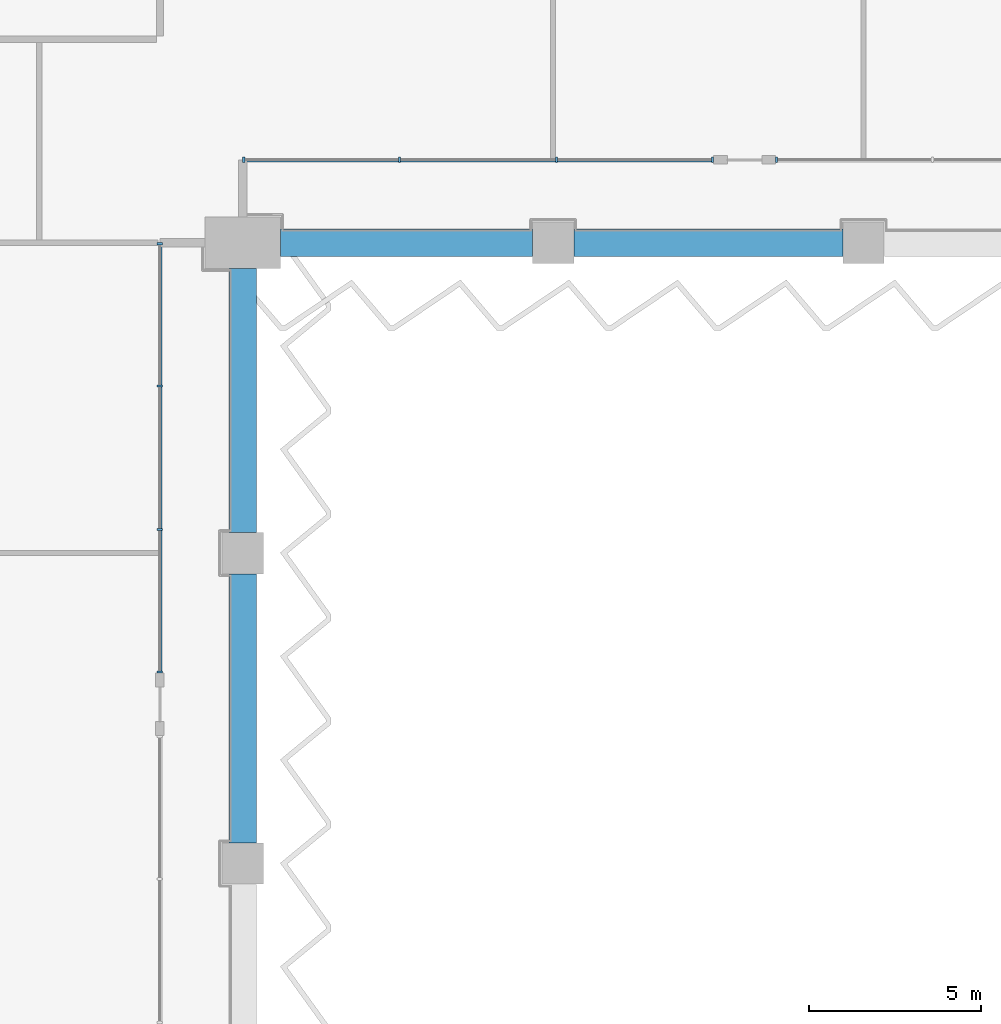
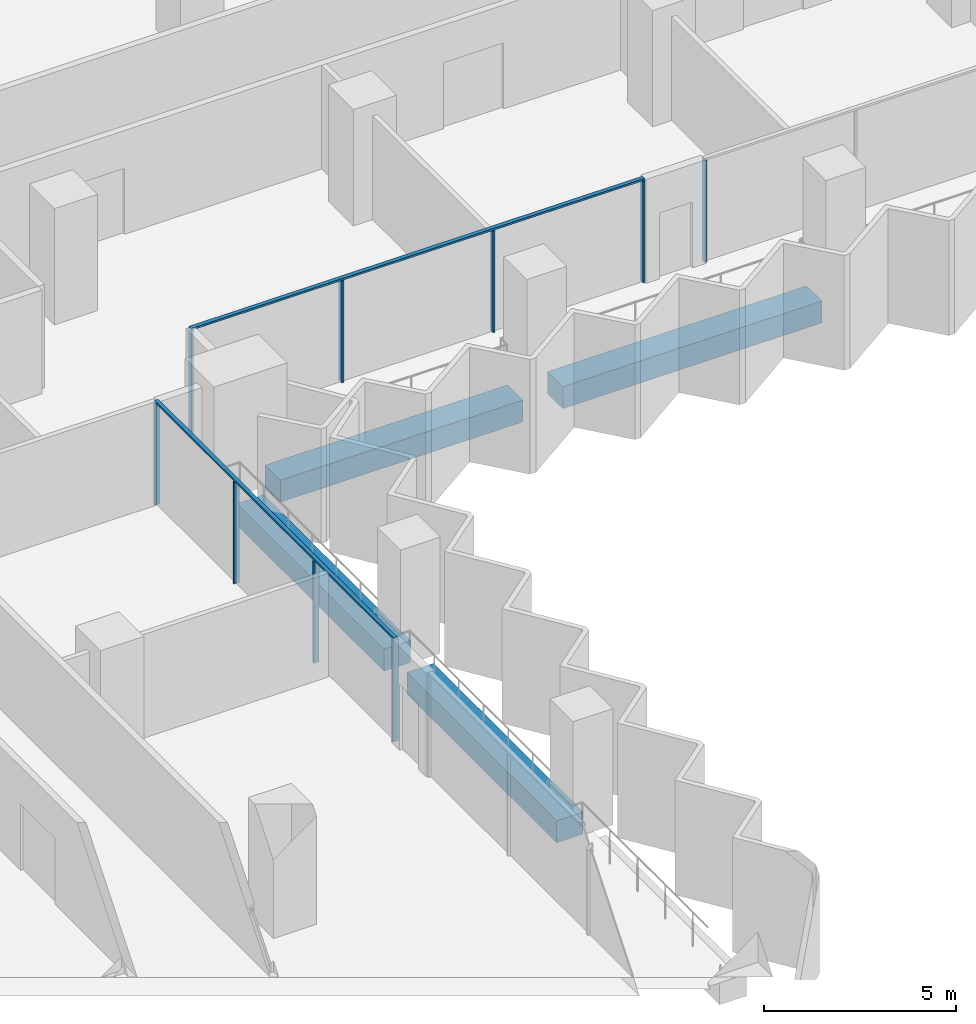
# One storey, part 4 of 23: 11 members, 4 beams, 3 elements without a shape of their own.
"""IFC4 building model written with IfcOpenShell, lengths in metres."""

from ifc_helpers import new_model, si_unit, direction, frame, origin, origin_2d, place, context, subcontext, project, spatial, rectangle, extrude, material, material_profile, profile_set, type_object, element, aggregate, save


model = new_model("IFC4")

# Units and contexts
model_context = context("Model", 3, precision=1e-05, world=origin(), true_north=direction((0.0, 1.0)))
body_context = subcontext(model_context, "Body", "Model", "MODEL_VIEW")
ifc_project = project(units=[si_unit("LENGTHUNIT", "METRE"), si_unit("AREAUNIT", "SQUARE_METRE"), si_unit("VOLUMEUNIT", "CUBIC_METRE"), si_unit("PLANEANGLEUNIT", "RADIAN"), si_unit("MASSUNIT", "GRAM", prefix="KILO")], contexts=[model_context])

# Site, building, storey
site_placement = place(None, origin())
site = spatial("IfcSite", under=ifc_project, at=site_placement, CompositionType="ELEMENT")
building_placement = place(site_placement, origin())
building = spatial("IfcBuilding", under=site, at=building_placement, Name="Hunhe Ridgeline Campus", CompositionType="ELEMENT")
storey_placement = place(building_placement, frame((0.0, 0.0, 107.0)))
storey = spatial("IfcBuildingStorey", under=building, at=storey_placement, Name="L26", CompositionType="ELEMENT", Elevation=107.0)

# Curtain wall, members
ifc_material_1 = material(Name="Aluminium 6063", Category="aluminium")
curtain_wall_type = type_object("IfcCurtainWallType", Name="Curtain wall CW-1", PredefinedType="NOTDEFINED", material=ifc_material_1)
curtain_wall_1_placement = place(storey_placement, origin())
curtain_wall_1 = element("IfcCurtainWall", 1, at=curtain_wall_1_placement, inside=storey, type_object=curtain_wall_type, Name="Curtain wall 12", PredefinedType="NOTDEFINED")
ifc_material_profile_1 = material_profile(ifc_material_1, rectangle(XDim=0.159912109375, YDim=0.06005859375, at=origin_2d()))
ifc_profile_set_1 = profile_set([ifc_material_profile_1], Name="Aluminium 6063")
member_type_1 = type_object("IfcMemberType", Name="CW-1 aluminium mullion", PredefinedType="MULLION", material=ifc_profile_set_1)
member_1_placement = place(storey_placement, frame((42.59912109375, 41.548583984375, 0.0), z_axis=(0.0, 0.0, 1.0), x_axis=(-0.99999999994, 1.0975712e-05, 0.0)))
member_1 = element("IfcMember", 2, at=member_1_placement, type_object=member_type_1, Name="CW-1 mullion 1", PredefinedType="MULLION", context=body_context, shape_type="SweptSolid", body=[
    extrude(rectangle(XDim=0.159912109375, YDim=0.06005859375, at=origin_2d()), origin(), (0.0, 0.0, 1.0), 3.239990234375),
])
member_2_placement = place(storey_placement, frame((42.59912109375, 45.67919921875, 0.0), z_axis=(0.0, 0.0, 1.0), x_axis=(-0.99999999994, 1.0975712e-05, 0.0)))
member_2 = element("IfcMember", 3, at=member_2_placement, type_object=member_type_1, Name="CW-1 mullion 2", PredefinedType="MULLION", context=body_context, shape_type="SweptSolid", body=[
    extrude(rectangle(XDim=0.159912109375, YDim=0.06005859375, at=origin_2d()), origin(), (0.0, 0.0, 1.0), 3.239990234375),
])
member_3_placement = place(storey_placement, frame((42.599365234375, 49.840087890625, 0.0), z_axis=(0.0, 0.0, 1.0), x_axis=(-0.99999999994, 1.0975712e-05, 0.0)))
member_3 = element("IfcMember", 4, at=member_3_placement, type_object=member_type_1, Name="CW-1 mullion 3", PredefinedType="MULLION", context=body_context, shape_type="SweptSolid", body=[
    extrude(rectangle(XDim=0.159912109375, YDim=0.06005859375, at=origin_2d()), origin(), (0.0, 0.0, 1.0), 3.239990234375),
])
member_4_placement = place(storey_placement, frame((42.599365234375, 53.970703125, 0.0), z_axis=(0.0, 0.0, 1.0), x_axis=(-0.99999999994, 1.0975712e-05, 0.0)))
member_4 = element("IfcMember", 5, at=member_4_placement, type_object=member_type_1, Name="CW-1 mullion 4", PredefinedType="MULLION", context=body_context, shape_type="SweptSolid", body=[
    extrude(rectangle(XDim=0.159912109375, YDim=0.06005859375, at=origin_2d()), origin(), (0.0, 0.0, 1.0), 3.239990234375),
])

curtain_wall_2_placement = place(storey_placement, origin())
curtain_wall_2 = element("IfcCurtainWall", 6, at=curtain_wall_2_placement, inside=storey, type_object=curtain_wall_type, Name="Curtain wall 13", PredefinedType="NOTDEFINED")
member_5_placement = place(storey_placement, frame((45.02978515625, 56.40087890625, 0.0), z_axis=(0.0, 0.0, 1.0), x_axis=(-1.4652e-07, 1.0, 0.0)))
member_5 = element("IfcMember", 7, at=member_5_placement, type_object=member_type_1, Name="CW-1 mullion 1", PredefinedType="MULLION", context=body_context, shape_type="SweptSolid", body=[
    extrude(rectangle(XDim=0.159912109375, YDim=0.06005859375, at=origin_2d()), origin(), (0.0, 0.0, 1.0), 3.239990234375),
])
member_6_placement = place(storey_placement, frame((49.5498046875, 56.40087890625, 0.0), z_axis=(0.0, 0.0, 1.0), x_axis=(-1.4652e-07, 1.0, 0.0)))
member_6 = element("IfcMember", 8, at=member_6_placement, type_object=member_type_1, Name="CW-1 mullion 2", PredefinedType="MULLION", context=body_context, shape_type="SweptSolid", body=[
    extrude(rectangle(XDim=0.159912109375, YDim=0.06005859375, at=origin_2d()), origin(), (0.0, 0.0, 1.0), 3.239990234375),
])
member_7_placement = place(storey_placement, frame((54.099609375, 56.40087890625, 0.0), z_axis=(0.0, 0.0, 1.0), x_axis=(-1.4652e-07, 1.0, 0.0)))
member_7 = element("IfcMember", 9, at=member_7_placement, type_object=member_type_1, Name="CW-1 mullion 3", PredefinedType="MULLION", context=body_context, shape_type="SweptSolid", body=[
    extrude(rectangle(XDim=0.159912109375, YDim=0.06005859375, at=origin_2d()), origin(), (0.0, 0.0, 1.0), 3.239990234375),
])
member_8_placement = place(storey_placement, frame((58.619384765625, 56.40087890625, 0.0), z_axis=(0.0, 0.0, 1.0), x_axis=(-1.4652e-07, 1.0, 0.0)))
member_8 = element("IfcMember", 10, at=member_8_placement, type_object=member_type_1, Name="CW-1 mullion 4", PredefinedType="MULLION", context=body_context, shape_type="SweptSolid", body=[
    extrude(rectangle(XDim=0.159912109375, YDim=0.06005859375, at=origin_2d()), origin(), (0.0, 0.0, 1.0), 3.239990234375),
])

# Curtain wall, member
curtain_wall_3_placement = place(storey_placement, origin())
curtain_wall_3 = element("IfcCurtainWall", 11, at=curtain_wall_3_placement, inside=storey, type_object=curtain_wall_type, Name="Curtain wall 14", PredefinedType="NOTDEFINED")
member_9_placement = place(storey_placement, frame((60.4794921875, 56.40087890625, 0.0), z_axis=(0.0, 0.0, 1.0), x_axis=(-1.4652e-07, 1.0, 0.0)))
member_9 = element("IfcMember", 12, at=member_9_placement, type_object=member_type_1, Name="CW-1 mullion 1", PredefinedType="MULLION", context=body_context, shape_type="SweptSolid", body=[
    extrude(rectangle(XDim=0.159912109375, YDim=0.06005859375, at=origin_2d()), origin(), (0.0, 0.0, 1.0), 3.239990234375),
])
aggregate(curtain_wall_3, [member_9])

# Member
ifc_material_profile_2 = material_profile(ifc_material_1, rectangle(XDim=0.1201171875, YDim=0.06005859375, at=origin_2d()))
ifc_profile_set_2 = profile_set([ifc_material_profile_2], Name="Aluminium 6063")
member_type_2 = type_object("IfcMemberType", Name="CW-1 aluminium transom", PredefinedType="USERDEFINED", material=ifc_profile_set_2)
member_10_placement = place(storey_placement, frame((42.59912109375, 41.5185546875, 3.27001953125), z_axis=(1.9559137e-05, 0.999999999809, 0.0), x_axis=(-0.999999999809, 1.9559137e-05, 0.0)))
member_10 = element("IfcMember", 13, at=member_10_placement, type_object=member_type_2, Name="CW-1 transom 1", ObjectType="TRANSOM", PredefinedType="USERDEFINED", context=body_context, shape_type="SweptSolid", body=[
    extrude(rectangle(XDim=0.1201171875, YDim=0.06005859375, at=origin_2d()), origin(), (0.0, 0.0, 1.0), 12.482177734375),
])

aggregate(curtain_wall_1, [member_10, member_1, member_2, member_3, member_4])

member_11_placement = place(storey_placement, frame((45.0, 56.40087890625, 3.27001953125), z_axis=(1.0, 0.0, 0.0), x_axis=(0.0, 1.0, 0.0)))
member_11 = element("IfcMember", 14, at=member_11_placement, type_object=member_type_2, Name="CW-1 transom 1", ObjectType="TRANSOM", PredefinedType="USERDEFINED", context=body_context, shape_type="SweptSolid", body=[
    extrude(rectangle(XDim=0.1201171875, YDim=0.06005859375, at=origin_2d()), origin(), (0.0, 0.0, 1.0), 13.6494140625),
])

aggregate(curtain_wall_2, [member_11, member_5, member_6, member_7, member_8])

# Beams
ifc_material_2 = material(Name="Concrete C60", Category="concrete")
ifc_material_profile_3 = material_profile(ifc_material_2, rectangle(XDim=0.800048828125, YDim=0.699951171875, at=origin_2d()))
ifc_profile_set_3 = profile_set([ifc_material_profile_3], Name="Concrete C60")
beam_type = type_object("IfcBeamType", Name="RC spandrel beam 800x700 Concrete C60", PredefinedType="SPANDREL", material=ifc_profile_set_3)
beam_1_placement = place(storey_placement, frame((45.0, 36.60009765625, -0.60009765625), z_axis=(0.0, 1.0, 0.0), x_axis=(-1.0, 0.0, 0.0)))
element("IfcBeam", 15, at=beam_1_placement, inside=storey, type_object=beam_type, Name="Spandrel beam B1-10 L26", PredefinedType="SPANDREL", context=body_context, shape_type="SweptSolid", body=[
    extrude(rectangle(XDim=0.800048828125, YDim=0.699951171875, at=origin_2d()), origin(), (0.0, 0.0, 1.0), 7.7998046875),
])
beam_2_placement = place(storey_placement, frame((45.0, 45.60009765625, -0.60009765625), z_axis=(0.0, 1.0, 0.0), x_axis=(-1.0, 0.0, 0.0)))
element("IfcBeam", 16, at=beam_2_placement, inside=storey, type_object=beam_type, Name="Spandrel beam B1-11 L26", PredefinedType="SPANDREL", context=body_context, shape_type="SweptSolid", body=[
    extrude(rectangle(XDim=0.800048828125, YDim=0.699951171875, at=origin_2d()), origin(), (0.0, 0.0, 1.0), 7.64990234375),
])
beam_3_placement = place(storey_placement, frame((46.10009765625, 54.0, -0.60009765625), z_axis=(1.0, 0.0, 0.0), x_axis=(0.0, 1.0, 0.0)))
element("IfcBeam", 17, at=beam_3_placement, inside=storey, type_object=beam_type, Name="Spandrel beam B1-12 L26", PredefinedType="SPANDREL", context=body_context, shape_type="SweptSolid", body=[
    extrude(rectangle(XDim=0.800048828125, YDim=0.699951171875, at=origin_2d()), origin(), (0.0, 0.0, 1.0), 7.2998046875),
])
beam_4_placement = place(storey_placement, frame((54.60009765625, 54.0, -0.60009765625), z_axis=(1.0, 0.0, 0.0), x_axis=(0.0, 1.0, 0.0)))
element("IfcBeam", 18, at=beam_4_placement, inside=storey, type_object=beam_type, Name="Spandrel beam B1-13 L26", PredefinedType="SPANDREL", context=body_context, shape_type="SweptSolid", body=[
    extrude(rectangle(XDim=0.800048828125, YDim=0.699951171875, at=origin_2d()), origin(), (0.0, 0.0, 1.0), 7.7998046875),
])

save(model, "model.ifc")
